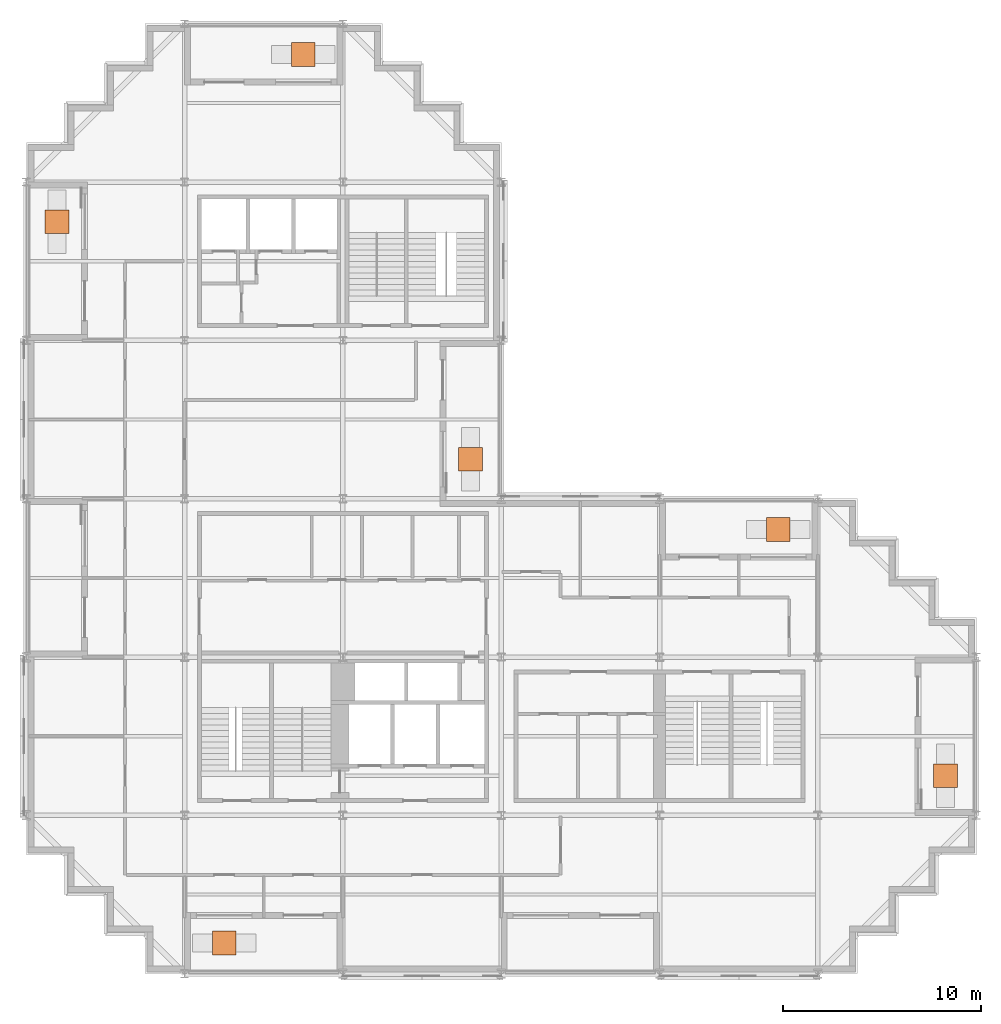
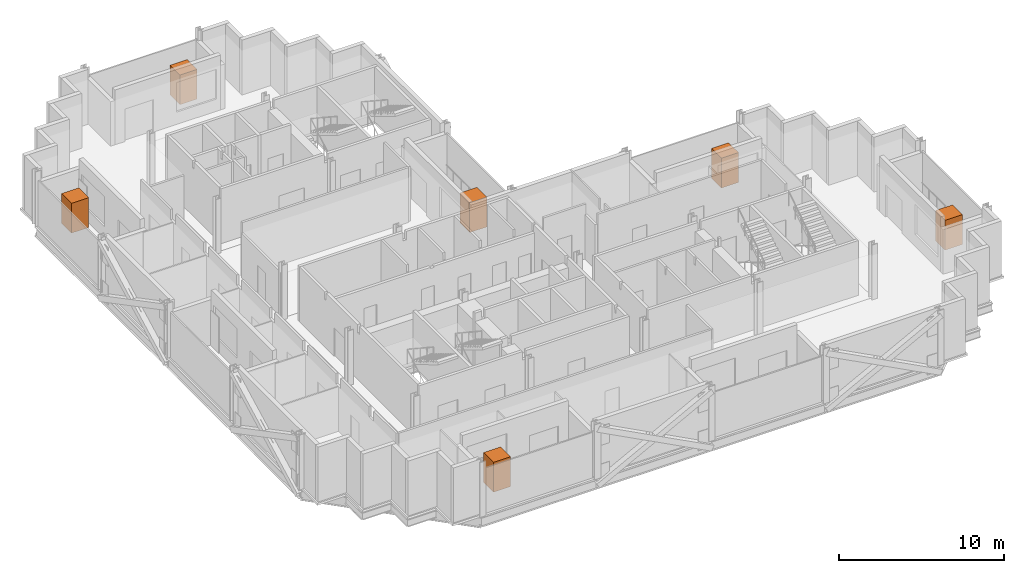
# One storey, part 12 of 12: 6 geographic elements.
"""IFC4 building model written with IfcOpenShell, lengths in metres."""

from ifc_helpers import new_model, si_unit, direction, frame, origin, origin_2d, place, context, subcontext, project, spatial, rectangle, extrude, material, type_object, element, save


model = new_model("IFC4")

# Units and contexts
model_context = context("Model", 3, precision=1e-05, world=origin(), true_north=direction((0.0, 1.0)))
body_context = subcontext(model_context, "Body", "Model", "MODEL_VIEW")
ifc_project = project(units=[si_unit("LENGTHUNIT", "METRE"), si_unit("AREAUNIT", "SQUARE_METRE"), si_unit("VOLUMEUNIT", "CUBIC_METRE"), si_unit("PLANEANGLEUNIT", "RADIAN"), si_unit("MASSUNIT", "GRAM", prefix="KILO")], contexts=[model_context])

# Site, building, storey
site_placement = place(None, origin())
site = spatial("IfcSite", under=ifc_project, at=site_placement, CompositionType="ELEMENT")
building_placement = place(site_placement, origin())
building = spatial("IfcBuilding", under=site, at=building_placement, Name="Immortelle Media Tower", CompositionType="ELEMENT")
storey_placement = place(building_placement, frame((0.0, 0.0, 132.60009765625)))
storey = spatial("IfcBuildingStorey", under=building, at=storey_placement, Name="L26", CompositionType="ELEMENT", Elevation=132.60009765625)

# Geographic elements
ifc_material = material(Name="Tree canopy foliage")
geographic_element_type = type_object("IfcGeographicElementType", Name="Tree", PredefinedType="USERDEFINED", material=ifc_material)
for number, where, z_axis, x_axis, name in (
    (1, (10.0, 1.550048828125, 0.60009765625), (0.0, 0.0, 1.0), (1.0, 0.0, 0.0), "Tree L26 S0"),
    (2, (46.449951171875, 10.0, 0.60009765625), (0.0, 0.0, 1.0), (1.0, 0.0, 0.0), "Tree L26 E0"),
    (3, (38.0, 22.449951171875, 0.60009765625), (0.0, 0.0, 1.0), (1.0, 0.0, 0.0), "Tree L26 N0"),
    (4, (22.449951171875, 26.0, 0.60009765625), (0.0, 0.0, 1.0), (1.0, 0.0, 0.0), "Tree L26 E0"),
    (5, (14.0, 46.449951171875, 0.60009765625), (0.0, 0.0, 1.0), (1.0, 0.0, 0.0), "Tree L26 N0"),
    (6, (1.550048828125, 38.0, 0.60009765625), (0.0, 0.0, 1.0), (1.0, 0.0, 0.0), "Tree L26 W0"),
):
    element("IfcGeographicElement", number, at=place(storey_placement, frame(where, z_axis=z_axis, x_axis=x_axis)), inside=storey, type_object=geographic_element_type, Name=name, ObjectType="Tree", PredefinedType="USERDEFINED", context=body_context, shape_type="SweptSolid", body=[
        extrude(rectangle(XDim=1.199951171875, YDim=1.199951171875, at=origin_2d()), origin(), (0.0, 0.0, 1.0), 2.199951171875),
    ])

save(model, "model.ifc")
